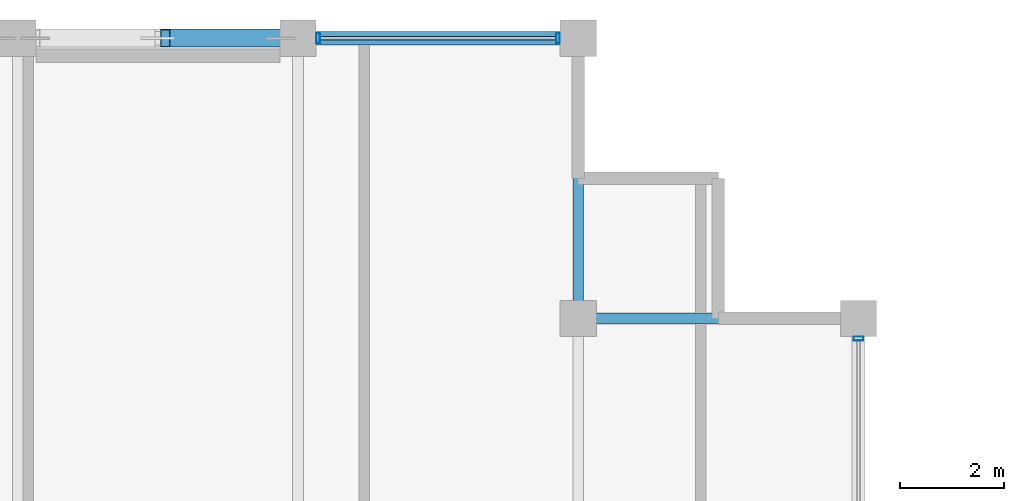
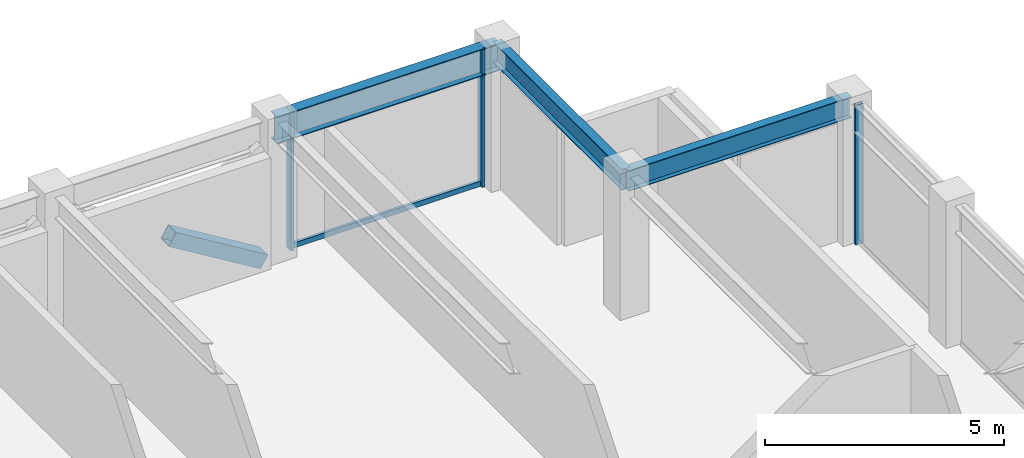
# One storey, part 20 of 30: 5 members, 3 beams, 2 elements without a shape of their own.
"""IFC4 building model written with IfcOpenShell, lengths in metres."""

from ifc_helpers import new_model, si_unit, direction, frame, origin, origin_2d, place, context, subcontext, project, spatial, hollow_rectangle, i_section, extrude, material, layer, layer_set, material_profile, profile_set, type_object, element, aggregate, save


model = new_model("IFC4")

# Units and contexts
model_context = context("Model", 3, precision=1e-05, world=origin(), true_north=direction((0.0, 1.0)))
body_context = subcontext(model_context, "Body", "Model", "MODEL_VIEW")
ifc_project = project(units=[si_unit("LENGTHUNIT", "METRE"), si_unit("AREAUNIT", "SQUARE_METRE"), si_unit("VOLUMEUNIT", "CUBIC_METRE"), si_unit("PLANEANGLEUNIT", "RADIAN"), si_unit("MASSUNIT", "GRAM", prefix="KILO")], contexts=[model_context])

# Site, building, storey
site_placement = place(None, origin())
site = spatial("IfcSite", under=ifc_project, at=site_placement, CompositionType="ELEMENT")
building_placement = place(site_placement, origin())
building = spatial("IfcBuilding", under=site, at=building_placement, Name="Surkhivell Harbour Commons", CompositionType="ELEMENT")
storey_placement = place(building_placement, frame((0.0, 0.0, 307.5)))
storey = spatial("IfcBuildingStorey", under=building, at=storey_placement, Name="L80", CompositionType="ELEMENT", Elevation=307.5)

# Beams
ifc_material_1 = material(Name="Steel S355", Category="steel")
ifc_material_profile_1 = material_profile(ifc_material_1, i_section(OverallWidth=0.2099609375, OverallDepth=0.537109375, WebThickness=0.0107421875, FlangeThickness=0.017333984375, at=origin_2d()), Name="UB533x210x101")
ifc_profile_set_1 = profile_set([ifc_material_profile_1], Name="Steel S355")
beam_type_1 = type_object("IfcBeamType", Name="BM-GRD-533B", PredefinedType="BEAM", material=ifc_profile_set_1)
for number, where, z_axis, x_axis, name in (
    (1, (10.800048828125, 20.5, 3.301513671875), (0.0, 1.0, 0.0), (-1.0, 0.0, 0.0), "L80 Floor Girder (10.8,20.5)"),
    (2, (10.800048828125, 20.5, 3.301513671875), (1.0, 0.0, 0.0), (0.0, 1.0, 0.0), "L80 Floor Girder (10.8,20.5)"),
):
    element("IfcBeam", number, at=place(storey_placement, frame(where, z_axis=z_axis, x_axis=x_axis)), inside=storey, type_object=beam_type_1, Name=name, PredefinedType="BEAM", context=body_context, shape_type="SweptSolid", body=[
        extrude(i_section(OverallWidth=0.2099609375, OverallDepth=0.537109375, WebThickness=0.0107421875, FlangeThickness=0.017333984375, at=origin_2d()), origin(), (0.0, 0.0, 1.0), 5.39990234375),
    ])
ifc_material_profile_2 = material_profile(ifc_material_1, i_section(OverallWidth=0.256103515625, OverallDepth=0.693115234375, WebThickness=0.014404296875, FlangeThickness=0.023681640625, at=origin_2d()), Name="UB686x254x170")
ifc_profile_set_2 = profile_set([ifc_material_profile_2], Name="Steel S355")
beam_type_2 = type_object("IfcBeamType", Name="BM-SPN-686", PredefinedType="SPANDREL", material=ifc_profile_set_2)
beam_placement = place(storey_placement, frame((5.39990234375, 25.89990234375, 3.223388671875), z_axis=(1.0, 0.0, 0.0), x_axis=(0.0, 1.0, 0.0)))
element("IfcBeam", 3, at=beam_placement, inside=storey, type_object=beam_type_2, Name="L80 Tube Spandrel (5.4,25.9)", PredefinedType="SPANDREL", context=body_context, shape_type="SweptSolid", body=[
    extrude(i_section(OverallWidth=0.256103515625, OverallDepth=0.693115234375, WebThickness=0.014404296875, FlangeThickness=0.023681640625, at=origin_2d()), origin(), (0.0, 0.0, 1.0), 5.400146484375),
])

# Curtain wall, member
ifc_material_2 = material(Name="Anodised pale-metal aluminium and insulated glazing", Category="aluminium")
ifc_layer = layer(ifc_material_2, 0.175048828125)
ifc_layer_set = layer_set([ifc_layer], Name="Anodised pale-metal aluminium and insulated glazing")
curtain_wall_type = type_object("IfcCurtainWallType", Name="CW-SYS-Z4", PredefinedType="NOTDEFINED", material=ifc_layer_set)
curtain_wall_1_placement = place(storey_placement, origin())
curtain_wall_1 = element("IfcCurtainWall", 4, at=curtain_wall_1_placement, inside=storey, type_object=curtain_wall_type, Name="L80 Curtain Wall CW-L80-E02R2", PredefinedType="NOTDEFINED")
ifc_material_3 = material(Name="Anodised pale-metal aluminium alloy 6063-T6", Category="aluminium")
ifc_material_profile_3 = material_profile(ifc_material_3, hollow_rectangle(XDim=0.074951171875, YDim=0.18994140625, WallThickness=0.00390625, at=origin_2d()), Name="ALU-MULL-75x190")
ifc_profile_set_3 = profile_set([ifc_material_profile_3], Name="Anodised pale-metal aluminium alloy 6063-T6")
member_type_1 = type_object("IfcMemberType", Name="CWM-190", PredefinedType="MULLION", material=ifc_profile_set_3)
member_1_placement = place(storey_placement, frame((16.199951171875, 20.110595703125, 0.0), z_axis=(0.0, 0.0, 1.0), x_axis=(0.0, 1.0, 0.0)))
member_1 = element("IfcMember", 5, at=member_1_placement, type_object=member_type_1, Name="CW-Z4 mullion 4", PredefinedType="MULLION", context=body_context, shape_type="SweptSolid", body=[
    extrude(hollow_rectangle(XDim=0.074951171875, YDim=0.18994140625, WallThickness=0.00390625, at=origin_2d()), origin(), (0.0, 0.0, 1.0), 3.570068359375),
])
aggregate(curtain_wall_1, [member_1])

# Curtain wall, members
curtain_wall_2_placement = place(storey_placement, origin())
curtain_wall_2 = element("IfcCurtainWall", 6, at=curtain_wall_2_placement, inside=storey, type_object=curtain_wall_type, Name="L80 Curtain Wall CW-L80-E07S1", PredefinedType="NOTDEFINED")
member_2_placement = place(storey_placement, frame((10.410400390625, 25.89990234375, 0.0), z_axis=(0.0, 0.0, 1.0), x_axis=(-1.0, 0.0, 0.0)))
member_2 = element("IfcMember", 7, at=member_2_placement, type_object=member_type_1, Name="CW-Z4 mullion 1", PredefinedType="MULLION", context=body_context, shape_type="SweptSolid", body=[
    extrude(hollow_rectangle(XDim=0.074951171875, YDim=0.18994140625, WallThickness=0.00390625, at=origin_2d()), origin(), (0.0, 0.0, 1.0), 3.570068359375),
])
member_3_placement = place(storey_placement, frame((5.78955078125, 25.89990234375, 0.0), z_axis=(0.0, 0.0, 1.0), x_axis=(-1.0, 0.0, 0.0)))
member_3 = element("IfcMember", 8, at=member_3_placement, type_object=member_type_1, Name="CW-Z4 mullion 2", PredefinedType="MULLION", context=body_context, shape_type="SweptSolid", body=[
    extrude(hollow_rectangle(XDim=0.074951171875, YDim=0.18994140625, WallThickness=0.00390625, at=origin_2d()), origin(), (0.0, 0.0, 1.0), 3.570068359375),
])
ifc_material_4 = material(Name="Champagne anodised aluminium alloy 6063-T6", Category="aluminium")
ifc_material_profile_4 = material_profile(ifc_material_4, hollow_rectangle(XDim=0.070068359375, YDim=0.1298828125, WallThickness=0.00341796875, at=origin_2d()), Name="ALU-TRAN-70x130")
ifc_profile_set_4 = profile_set([ifc_material_profile_4], Name="Champagne anodised aluminium alloy 6063-T6")
member_type_2 = type_object("IfcMemberType", Name="CWT-130", PredefinedType="USERDEFINED", material=ifc_profile_set_4)
member_4_placement = place(storey_placement, frame((10.373046875, 25.89990234375, 0.06494140625), z_axis=(-1.0, 0.0, 0.0), x_axis=(0.0, -1.0, 0.0)))
member_4 = element("IfcMember", 9, at=member_4_placement, type_object=member_type_2, Name="CW-Z4 transom 1.1", ObjectType="TRANSOM", PredefinedType="USERDEFINED", context=body_context, shape_type="SweptSolid", body=[
    extrude(hollow_rectangle(XDim=0.070068359375, YDim=0.1298828125, WallThickness=0.00341796875, at=origin_2d()), origin(), (0.0, 0.0, 1.0), 4.546142578125),
])
aggregate(curtain_wall_2, [member_2, member_3, member_4])

# Member
ifc_material_profile_5 = material_profile(ifc_material_1, hollow_rectangle(XDim=0.35009765625, YDim=0.35009765625, WallThickness=0.01611328125, at=origin_2d()), Name="SHS350x350x16")
ifc_profile_set_5 = profile_set([ifc_material_profile_5], Name="Steel S355")
member_type_3 = type_object("IfcMemberType", Name="MEM-BRC-SHS350", PredefinedType="BRACE", material=ifc_profile_set_5)
member_5_placement = place(storey_placement, frame((5.06494140625, 25.89990234375, 0.008056640625), z_axis=(-0.854678858595, 0.0, 0.51915705588), x_axis=(0.0, -1.0, 0.0)))
element("IfcMember", 10, at=member_5_placement, inside=storey, type_object=member_type_3, Name="L80 Perimeter Mega-Brace MB- 05", PredefinedType="BRACE", context=body_context, shape_type="SweptSolid", body=[
    extrude(hollow_rectangle(XDim=0.35009765625, YDim=0.35009765625, WallThickness=0.01611328125, at=origin_2d()), origin(), (0.0, 0.0, 1.0), 2.59912109375),
])

save(model, "model.ifc")
